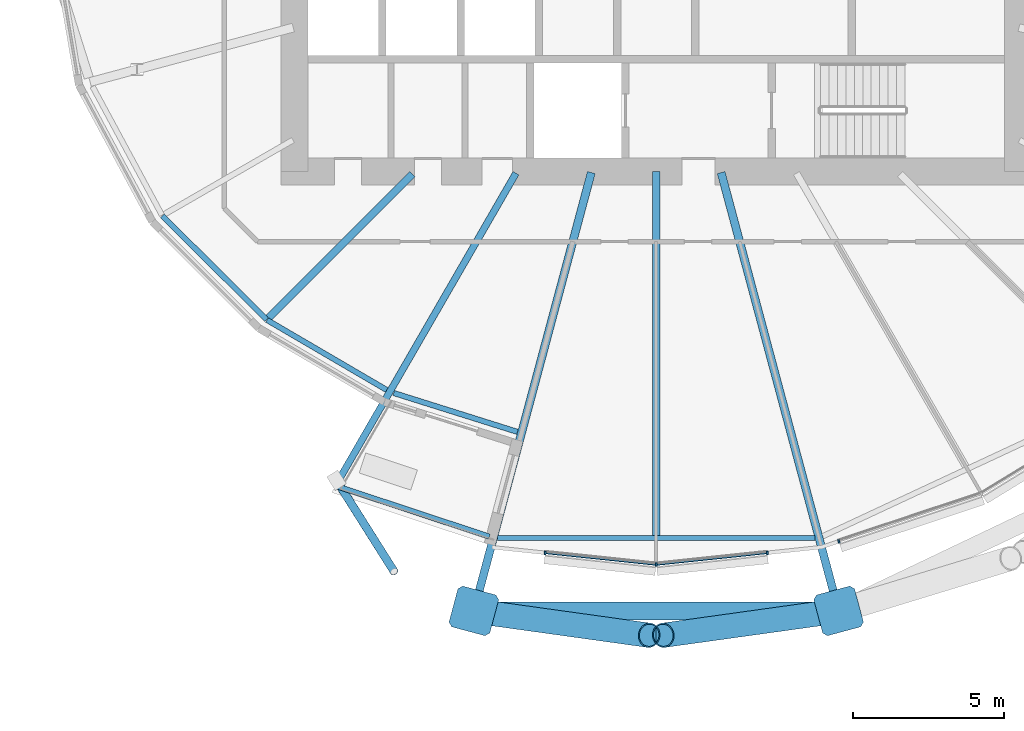
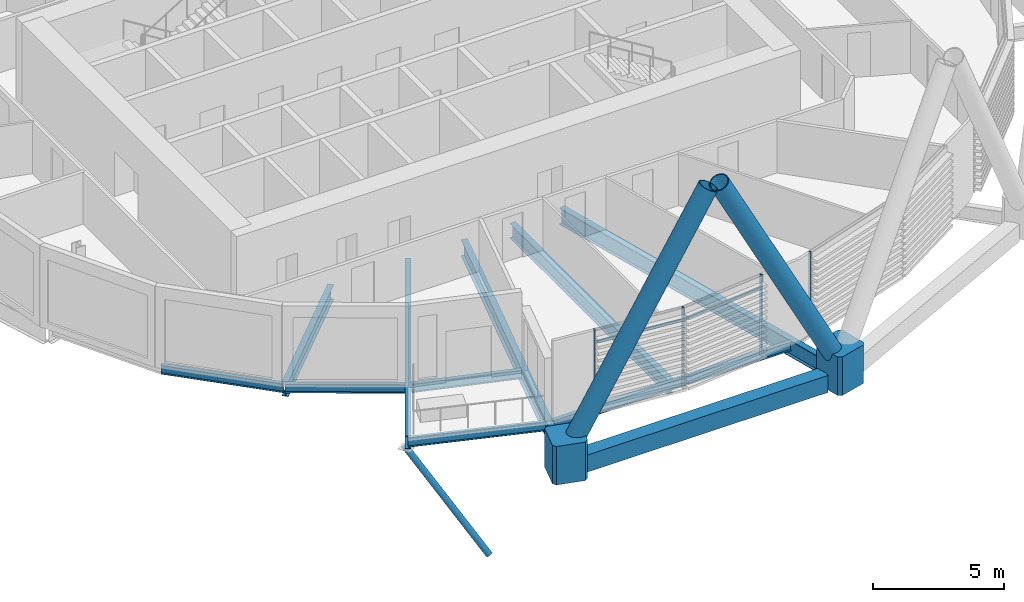
# One storey, part 3 of 36: 11 beams, 11 members, 1 element without a shape of its own.
"""IFC4 building model written with IfcOpenShell, lengths in metres."""

from ifc_helpers import new_model, si_unit, direction, frame, origin, origin_2d, place, context, subcontext, project, spatial, polyline, rectangle, hollow_rectangle, hollow_circle, i_section, outline, extrude, clip, halfspace, material, material_profile, profile_set, type_object, element, aggregate, save


model = new_model("IFC4")

# Units and contexts
model_context = context("Model", 3, precision=1e-05, world=origin(), true_north=direction((0.0, 1.0)))
body_context = subcontext(model_context, "Body", "Model", "MODEL_VIEW")
ifc_project = project(units=[si_unit("LENGTHUNIT", "METRE"), si_unit("AREAUNIT", "SQUARE_METRE"), si_unit("VOLUMEUNIT", "CUBIC_METRE"), si_unit("PLANEANGLEUNIT", "RADIAN"), si_unit("MASSUNIT", "GRAM", prefix="KILO")], contexts=[model_context])

# Site, building, storey
site_placement = place(None, origin())
site = spatial("IfcSite", under=ifc_project, at=site_placement, CompositionType="ELEMENT")
building_placement = place(site_placement, origin())
building = spatial("IfcBuilding", under=site, at=building_placement, Name="Rimbun Link Towers", CompositionType="ELEMENT")
storey_placement = place(building_placement, frame((0.0, 0.0, 64.199951171875)))
storey = spatial("IfcBuildingStorey", under=building, at=storey_placement, Name="L15", CompositionType="ELEMENT", Elevation=64.199951171875)

# Curtain wall, members
ifc_material_1 = material(Name="Aluminium 6063-T6 and low-iron glass", Category="aluminium")
curtain_wall_type = type_object("IfcCurtainWallType", Name="CW1 unitised vision wall", PredefinedType="NOTDEFINED", material=ifc_material_1)
curtain_wall_placement = place(storey_placement, origin())
curtain_wall = element("IfcCurtainWall", 1, at=curtain_wall_placement, inside=storey, type_object=curtain_wall_type, Name="CW1 L15 T1", PredefinedType="NOTDEFINED")
ifc_material_2 = material(Name="Aluminium 6063-T6", Category="aluminium")
ifc_material_profile_1 = material_profile(ifc_material_2, rectangle(XDim=0.1201171875, YDim=0.06005859375, at=origin_2d()), Name="MULLION 60X120")
ifc_profile_set_1 = profile_set([ifc_material_profile_1], Name="Aluminium 6063-T6")
member_type_1 = type_object("IfcMemberType", Name="CW1 mullion 60X120", PredefinedType="MULLION", material=ifc_profile_set_1)
member_1_placement = place(storey_placement, frame((-31.75, -21.037109375, 0.0), z_axis=(0.0, 0.0, 1.0), x_axis=(0.0, -1.0, 0.0)))
member_1 = element("IfcMember", 2, at=member_1_placement, type_object=member_type_1, Name="CW1 mullion", PredefinedType="MULLION", context=body_context, shape_type="SweptSolid", body=[
    extrude(rectangle(XDim=0.1201171875, YDim=0.06005859375, at=origin_2d()), origin(), (0.0, 0.0, 1.0), 3.800048828125),
])
member_2_placement = place(storey_placement, frame((-35.4326171875, -20.6494140625, 0.0), z_axis=(0.0, 0.0, 1.0), x_axis=(-0.104734976112, -0.994500168315, 0.0)))
member_2 = element("IfcMember", 3, at=member_2_placement, type_object=member_type_1, Name="CW1 mullion", PredefinedType="MULLION", context=body_context, shape_type="SweptSolid", body=[
    extrude(rectangle(XDim=0.1201171875, YDim=0.06005859375, at=origin_2d()), origin(), (0.0, 0.0, 1.0), 3.800048828125),
])
member_3_placement = place(storey_placement, frame((-28.0673828125, -20.6494140625, 0.0), z_axis=(0.0, 0.0, 1.0), x_axis=(0.104734976112, -0.994500168315, 0.0)))
member_3 = element("IfcMember", 4, at=member_3_placement, type_object=member_type_1, Name="CW1 mullion", PredefinedType="MULLION", context=body_context, shape_type="SweptSolid", body=[
    extrude(rectangle(XDim=0.1201171875, YDim=0.06005859375, at=origin_2d()), origin(), (0.0, 0.0, 1.0), 3.800048828125),
])
member_4_placement = place(storey_placement, frame((-25.695068359375, -20.26953125, 0.0), z_axis=(0.0, 0.0, 1.0), x_axis=(0.314555783293, -0.949238989505, 0.0)))
member_4 = element("IfcMember", 5, at=member_4_placement, type_object=member_type_1, Name="CW1 mullion", PredefinedType="MULLION", context=body_context, shape_type="SweptSolid", body=[
    extrude(rectangle(XDim=0.1201171875, YDim=0.06005859375, at=origin_2d()), origin(), (0.0, 0.0, 1.0), 3.800048828125),
])
ifc_material_3 = material(Name="Aluminium 6063-T6", Category="aluminium")
ifc_material_profile_2 = material_profile(ifc_material_3, rectangle(XDim=0.06005859375, YDim=0.1201171875, at=origin_2d()), Name="TRANSOM 60X120")
ifc_profile_set_2 = profile_set([ifc_material_profile_2], Name="Aluminium 6063-T6")
member_type_2 = type_object("IfcMemberType", Name="CW1 transom 60X120", PredefinedType="USERDEFINED", material=ifc_profile_set_2)
member_5_placement = place(storey_placement, frame((-31.785888671875, -21.031494140625, 3.199951171875), z_axis=(-0.994501037845, 0.104726719255, 0.0), x_axis=(-0.104726719255, -0.994501037845, 0.0)))
member_5 = element("IfcMember", 6, at=member_5_placement, type_object=member_type_2, Name="CW1 transom", ObjectType="TRANSOM", PredefinedType="USERDEFINED", context=body_context, shape_type="SweptSolid", body=[
    extrude(rectangle(XDim=0.06005859375, YDim=0.1201171875, at=origin_2d()), origin(), (0.0, 0.0, 1.0), 3.63671875),
])
member_6_placement = place(storey_placement, frame((-28.097412109375, -20.650634765625, 3.199951171875), z_axis=(-0.994501037845, -0.104726719255, 0.0), x_axis=(0.104726719255, -0.994501037845, 0.0)))
member_6 = element("IfcMember", 7, at=member_6_placement, type_object=member_type_2, Name="CW1 transom", ObjectType="TRANSOM", PredefinedType="USERDEFINED", context=body_context, shape_type="SweptSolid", body=[
    extrude(rectangle(XDim=0.06005859375, YDim=0.1201171875, at=origin_2d()), origin(), (0.0, 0.0, 1.0), 3.63671875),
])
aggregate(curtain_wall, [member_1, member_2, member_3, member_4, member_5, member_6])

# Members
ifc_material_4 = material(Name="Steel S460NH", Category="steel")
ifc_material_profile_3 = material_profile(ifc_material_4, hollow_circle(Radius=0.406494140625, WallThickness=0.0400390625, at=origin_2d()), Name="Diagrid diagonal CHS 813x40")
ifc_profile_set_3 = profile_set([ifc_material_profile_3], Name="Steel S460NH")
member_type_3 = type_object("IfcMemberType", Name="Diagrid diagonal CHS 813x40", PredefinedType="BRACE", material=ifc_profile_set_3)
for number, where, z_axis, x_axis, name in (
    (8, (-37.56494140625, -22.607177734375, 0.440673828125), (0.467708373319, -0.065061794714, 0.88148501995), (0.13778090489, 0.990462731377, 0.0), "Diagrid diagonal T1 L15-L18 17b"),
    (9, (-25.93505859375, -22.607177734375, 0.440673828125), (-0.467708373319, -0.065061794714, 0.88148501995), (0.13778090489, -0.990462731377, 0.0), "Diagrid diagonal T1 L15-L18 19a"),
):
    element("IfcMember", number, at=place(storey_placement, frame(where, z_axis=z_axis, x_axis=x_axis)), inside=storey, type_object=member_type_3, Name=name, PredefinedType="BRACE", context=body_context, shape_type="SweptSolid", body=[
        extrude(hollow_circle(Radius=0.406494140625, WallThickness=0.0400390625, at=origin_2d()), origin(), (0.0, 0.0, 1.0), 11.932861328125),
    ])
ifc_material_5 = material(Name="Cast steel G20Mn5+QT, Rp0.2 300 MPa", Category="steel")
ifc_material_profile_4 = material_profile(ifc_material_5, outline(polyline([(0.699951171875, -0.570068359375), (0.699951171875, 0.570068359375), (0.570068359375, 0.699951171875), (-0.570068359375, 0.699951171875), (-0.699951171875, 0.570068359375), (-0.699951171875, -0.570068359375), (-0.570068359375, -0.699951171875), (0.570068359375, -0.699951171875), (0.699951171875, -0.570068359375)])), Name="NODE 1400x1400")
ifc_profile_set_4 = profile_set([ifc_material_profile_4], Name="Cast steel G20Mn5+QT, Rp0.2 300 MPa")
member_type_4 = type_object("IfcMemberType", Name="Diagrid node cast 1400", PredefinedType="USERDEFINED", material=ifc_profile_set_4)
for number, where, z_axis, x_axis, name in (
    (10, (-37.798828125, -22.57470703125, -0.89990234375), (0.0, 0.0, 1.0), (-0.258819045103, -0.965925826289, 0.0), "Diagrid node L15 17"),
    (11, (-25.701171875, -22.57470703125, -0.89990234375), (0.0, 0.0, 1.0), (0.258819045103, -0.965925826289, 0.0), "Diagrid node L15 19"),
):
    element("IfcMember", number, at=place(storey_placement, frame(where, z_axis=z_axis, x_axis=x_axis)), inside=storey, type_object=member_type_4, Name=name, ObjectType="Diagrid node", PredefinedType="USERDEFINED", context=body_context, shape_type="SweptSolid", body=[
        extrude(outline(polyline([(0.699951171875, -0.570068359375), (0.699951171875, 0.570068359375), (0.570068359375, 0.699951171875), (-0.570068359375, 0.699951171875), (-0.699951171875, 0.570068359375), (-0.699951171875, -0.570068359375), (-0.570068359375, -0.699951171875), (0.570068359375, -0.699951171875), (0.699951171875, -0.570068359375)])), origin(), (0.0, 0.0, 1.0), 1.800048828125),
    ])

# Beam
ifc_material_6 = material(Name="Steel S355J2", Category="steel")
ifc_material_profile_5 = material_profile(ifc_material_6, hollow_rectangle(XDim=0.60009765625, YDim=0.800048828125, WallThickness=0.0400390625, at=origin_2d()), Name="Exoskeleton ring girder BOX 600x800x40")
ifc_profile_set_5 = profile_set([ifc_material_profile_5], Name="Steel S355J2")
beam_type_1 = type_object("IfcBeamType", Name="Exoskeleton ring girder BOX 600x800x40", PredefinedType="BEAM", material=ifc_profile_set_5)
beam_1_placement = place(storey_placement, frame((-37.098876953125, -22.57470703125, -0.56005859375), z_axis=(1.0, 0.0, 0.0), x_axis=(0.0, 1.0, 0.0)))
element("IfcBeam", 12, at=beam_1_placement, inside=storey, type_object=beam_type_1, Name="Exoskeleton ring girder L15 06", PredefinedType="BEAM", context=body_context, shape_type="SweptSolid", body=[
    extrude(hollow_rectangle(XDim=0.60009765625, YDim=0.800048828125, WallThickness=0.0400390625, at=origin_2d()), origin(), (0.0, 0.0, 1.0), 10.69775390625),
])

# Member
ifc_material_7 = material(Name="Steel S355J2H", Category="steel")
ifc_material_profile_6 = material_profile(ifc_material_7, hollow_circle(Radius=0.136474609375, WallThickness=0.012451171875, at=origin_2d()), Name="CHS 273x12.5")
ifc_profile_set_6 = profile_set([ifc_material_profile_6], Name="Steel S355J2H")
member_type_5 = type_object("IfcMemberType", Name="Floor edge link CHS 273x12.5", PredefinedType="BRACE", material=ifc_profile_set_6)
member_7_placement = place(storey_placement, frame((-42.31640625, -18.301513671875, -0.85693359375), z_axis=(0.365595405731, -0.579418079625, -0.728433036259), x_axis=(0.845721350788, 0.533624771558, 0.0)))
element("IfcMember", 13, at=member_7_placement, inside=storey, type_object=member_type_5, Name="Floor edge link T1 L15 16", PredefinedType="BRACE", context=body_context, shape_type="Clipping", body=[
    clip(extrude(hollow_circle(Radius=0.136474609375, WallThickness=0.012451171875, at=origin_2d()), frame((0.0, 0.0, -0.2705078125)), (0.0, 0.0, 1.0), 5.405029296875), halfspace(frame((0.0, 0.0, -0.126708984375), z_axis=(0.0, 0.685117005837, -0.728433036259)), False)),
])

# Beams
ifc_material_8 = material(Name="Steel S355J2", Category="steel")
ifc_material_profile_7 = material_profile(ifc_material_8, i_section(OverallWidth=0.177978515625, OverallDepth=0.406494140625, WebThickness=0.0078125, FlangeThickness=0.0126953125, at=origin_2d()), Name="UB 406x178x60")
ifc_profile_set_7 = profile_set([ifc_material_profile_7], Name="Steel S355J2")
beam_type_2 = type_object("IfcBeamType", Name="UB 406x178x60", PredefinedType="BEAM", material=ifc_profile_set_7)
beam_2_placement = place(storey_placement, frame((-48.127197265625, -9.470947265625, -0.363037109375), z_axis=(0.708083429318, -0.706128782252, 0.0), x_axis=(0.706128782252, 0.708083429318, 0.0)))
element("IfcBeam", 14, at=beam_2_placement, inside=storey, type_object=beam_type_2, Name="Edge beam T1 L15 14 recess", PredefinedType="BEAM", context=body_context, shape_type="SweptSolid", body=[
    extrude(i_section(OverallWidth=0.177978515625, OverallDepth=0.406494140625, WebThickness=0.0078125, FlangeThickness=0.0126953125, at=origin_2d()), origin(), (0.0, 0.0, 1.0), 4.87109375),
])
beam_3_placement = place(storey_placement, frame((-44.65869140625, -12.925537109375, -0.363037109375), z_axis=(0.863289680651, -0.504708754908, 0.0), x_axis=(0.504708754908, 0.863289680651, 0.0)))
element("IfcBeam", 15, at=beam_3_placement, inside=storey, type_object=beam_type_2, Name="Edge beam T1 L15 15 recess", PredefinedType="BEAM", context=body_context, shape_type="SweptSolid", body=[
    extrude(i_section(OverallWidth=0.177978515625, OverallDepth=0.406494140625, WebThickness=0.0078125, FlangeThickness=0.0126953125, at=origin_2d()), origin(), (0.0, 0.0, 1.0), 4.601318359375),
])
beam_4_placement = place(storey_placement, frame((-40.455810546875, -15.34716796875, -0.363037109375), z_axis=(0.953962644117, -0.299925446785, 0.0), x_axis=(0.299925446785, 0.953962644117, 0.0)))
element("IfcBeam", 16, at=beam_4_placement, inside=storey, type_object=beam_type_2, Name="Edge beam T1 L15 16 recess", PredefinedType="BEAM", context=body_context, shape_type="SweptSolid", body=[
    extrude(i_section(OverallWidth=0.177978515625, OverallDepth=0.406494140625, WebThickness=0.0078125, FlangeThickness=0.0126953125, at=origin_2d()), origin(), (0.0, 0.0, 1.0), 4.302734375),
])
beam_5_placement = place(storey_placement, frame((-42.386474609375, -18.4248046875, -0.363037109375), z_axis=(0.949403062332, -0.31406022549, 0.0), x_axis=(0.31406022549, 0.949403062332, 0.0)))
element("IfcBeam", 17, at=beam_5_placement, inside=storey, type_object=beam_type_2, Name="Edge beam T1 L15 16 terrace", PredefinedType="BEAM", context=body_context, shape_type="SweptSolid", body=[
    extrude(i_section(OverallWidth=0.177978515625, OverallDepth=0.406494140625, WebThickness=0.0078125, FlangeThickness=0.0126953125, at=origin_2d()), origin(), (0.0, 0.0, 1.0), 5.374755859375),
])
beam_6_placement = place(storey_placement, frame((-37.011962890625, -20.15673828125, -0.363037109375), z_axis=(1.0, 0.0, 0.0), x_axis=(0.0, 1.0, 0.0)))
element("IfcBeam", 18, at=beam_6_placement, inside=storey, type_object=beam_type_2, Name="Edge beam T1 L15 17-19", PredefinedType="BEAM", context=body_context, shape_type="SweptSolid", body=[
    extrude(i_section(OverallWidth=0.177978515625, OverallDepth=0.406494140625, WebThickness=0.0078125, FlangeThickness=0.0126953125, at=origin_2d()), origin(), (0.0, 0.0, 1.0), 10.52392578125),
])
ifc_material_9 = material(Name="Steel S355J2", Category="steel")
ifc_material_profile_8 = material_profile(ifc_material_9, i_section(OverallWidth=0.2275390625, OverallDepth=0.6025390625, WebThickness=0.010498046875, FlangeThickness=0.014892578125, at=origin_2d()), Name="UB 610x229x101")
ifc_profile_set_8 = profile_set([ifc_material_profile_8], Name="Steel S355J2")
beam_type_3 = type_object("IfcBeamType", Name="UB 610x229x101", PredefinedType="BEAM", material=ifc_profile_set_8)
beam_7_placement = place(storey_placement, frame((-36.402099609375, -8.057861328125, -0.461181640625), z_axis=(-0.499996440048, -0.866027459114, 0.0), x_axis=(0.866027459114, -0.499996440048, 0.0)))
element("IfcBeam", 19, at=beam_7_placement, inside=storey, type_object=beam_type_3, Name="Radial beam T1 L15 16", PredefinedType="BEAM", context=body_context, shape_type="SweptSolid", body=[
    extrude(i_section(OverallWidth=0.2275390625, OverallDepth=0.6025390625, WebThickness=0.010498046875, FlangeThickness=0.014892578125, at=origin_2d()), origin(), (0.0, 0.0, 1.0), 11.87841796875),
])
ifc_material_10 = material(Name="Steel S355J2", Category="steel")
ifc_material_profile_9 = material_profile(ifc_material_10, i_section(OverallWidth=0.253662109375, OverallDepth=0.68359375, WebThickness=0.012451171875, FlangeThickness=0.01904296875, at=origin_2d()), Name="UB 686x254x140")
ifc_profile_set_9 = profile_set([ifc_material_profile_9], Name="Steel S355J2")
beam_type_4 = type_object("IfcBeamType", Name="UB 686x254x140", PredefinedType="BEAM", material=ifc_profile_set_9)
beam_8_placement = place(storey_placement, frame((-39.84033203125, -8.09033203125, -0.501708984375), z_axis=(-0.707106781187, -0.707106781187, 0.0), x_axis=(0.707106781187, -0.707106781187, 0.0)))
element("IfcBeam", 20, at=beam_8_placement, inside=storey, type_object=beam_type_4, Name="Radial beam T1 L15 15", PredefinedType="BEAM", context=body_context, shape_type="SweptSolid", body=[
    extrude(i_section(OverallWidth=0.253662109375, OverallDepth=0.68359375, WebThickness=0.012451171875, FlangeThickness=0.01904296875, at=origin_2d()), origin(), (0.0, 0.0, 1.0), 6.738525390625),
])
beam_9_placement = place(storey_placement, frame((-31.75, -8.0009765625, -0.501708984375), z_axis=(0.0, -1.0, 0.0), x_axis=(1.0, 0.0, 0.0)))
element("IfcBeam", 21, at=beam_9_placement, inside=storey, type_object=beam_type_4, Name="Radial beam T1 L15 18", PredefinedType="BEAM", context=body_context, shape_type="SweptSolid", body=[
    extrude(i_section(OverallWidth=0.253662109375, OverallDepth=0.68359375, WebThickness=0.012451171875, FlangeThickness=0.01904296875, at=origin_2d()), origin(), (0.0, 0.0, 1.0), 12.06591796875),
])
ifc_material_11 = material(Name="Steel S355J2", Category="steel")
ifc_material_profile_10 = material_profile(ifc_material_11, i_section(OverallWidth=0.2666015625, OverallDepth=0.76220703125, WebThickness=0.014404296875, FlangeThickness=0.021484375, at=origin_2d()), Name="UB 762x267x173")
ifc_profile_set_10 = profile_set([ifc_material_profile_10], Name="Steel S355J2")
beam_type_5 = type_object("IfcBeamType", Name="UB 762x267x173", PredefinedType="BEAM", material=ifc_profile_set_10)
for number, where, z_axis, x_axis, name in (
    (22, (-33.9033203125, -8.035400390625, -0.541015625), (-0.258804850559, -0.965929629594, 0.0), (0.965929629594, -0.258804850559, 0.0), "Radial beam T1 L15 17"),
    (23, (-29.5966796875, -8.035400390625, -0.541015625), (0.258804850559, -0.965929629594, 0.0), (0.965929629594, 0.258804850559, 0.0), "Radial beam T1 L15 19"),
):
    element("IfcBeam", number, at=place(storey_placement, frame(where, z_axis=z_axis, x_axis=x_axis)), inside=storey, type_object=beam_type_5, Name=name, PredefinedType="BEAM", context=body_context, shape_type="SweptSolid", body=[
        extrude(i_section(OverallWidth=0.2666015625, OverallDepth=0.76220703125, WebThickness=0.014404296875, FlangeThickness=0.021484375, at=origin_2d()), origin(), (0.0, 0.0, 1.0), 14.552001953125),
    ])

save(model, "model.ifc")
